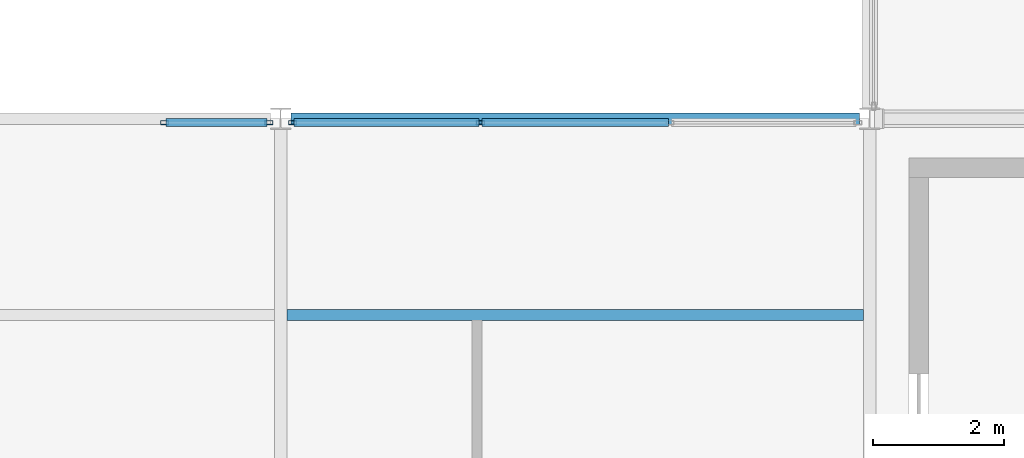
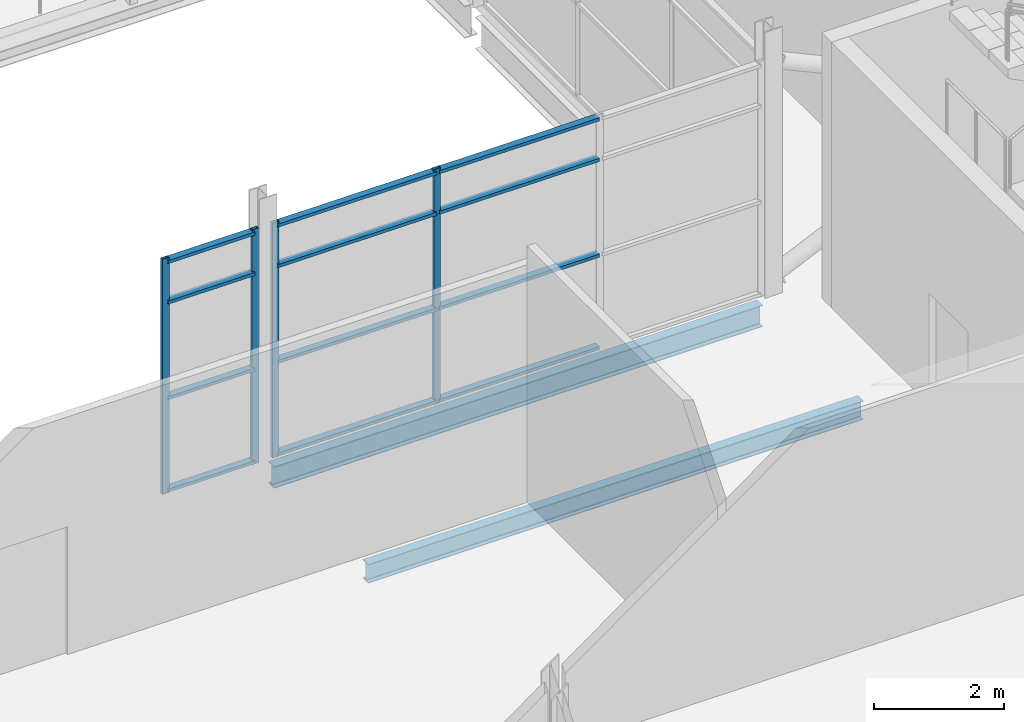
# One storey, part 33 of 115: 16 members, 2 beams, 2 elements without a shape of their own.
"""IFC4 building model written with IfcOpenShell, lengths in metres."""

from ifc_helpers import new_model, si_unit, direction, frame, origin, origin_2d, place, context, subcontext, project, spatial, hollow_rectangle, i_section, extrude, material, layer, layer_set, material_profile, profile_set, type_object, element, aggregate, save


model = new_model("IFC4")

# Units and contexts
model_context = context("Model", 3, precision=1e-05, world=origin(), true_north=direction((0.0, 1.0)))
body_context = subcontext(model_context, "Body", "Model", "MODEL_VIEW")
ifc_project = project(units=[si_unit("LENGTHUNIT", "METRE"), si_unit("AREAUNIT", "SQUARE_METRE"), si_unit("VOLUMEUNIT", "CUBIC_METRE"), si_unit("PLANEANGLEUNIT", "RADIAN"), si_unit("MASSUNIT", "GRAM", prefix="KILO")], contexts=[model_context])

# Site, building, storey
site_placement = place(None, origin())
site = spatial("IfcSite", under=ifc_project, at=site_placement, CompositionType="ELEMENT")
building_placement = place(site_placement, origin())
building = spatial("IfcBuilding", under=site, at=building_placement, Name="Shorebreak Coast Museum", CompositionType="ELEMENT")
storey_placement = place(building_placement, frame((0.0, 0.0, 11.0)))
storey = spatial("IfcBuildingStorey", under=building, at=storey_placement, Name="L02", CompositionType="ELEMENT", Elevation=11.0)

# Beams
ifc_material_1 = material(Name="Steel Grade 300", Category="steel")
ifc_material_profile_1 = material_profile(ifc_material_1, i_section(OverallWidth=0.177978515625, OverallDepth=0.402587890625, WebThickness=0.007568359375, FlangeThickness=0.010986328125, FilletRadius=0.011474609375, at=origin_2d()), Name="410UB53.7")
ifc_profile_set_1 = profile_set([ifc_material_profile_1], Name="Steel Grade 300")
beam_type_1 = type_object("IfcBeamType", Name="Floor girder east-west 410UB53.7", PredefinedType="BEAM", material=ifc_profile_set_1)
beam_1_placement = place(storey_placement, frame((99.155517578125, 63.0, -0.376220703125), z_axis=(1.0, 0.0, 0.0), x_axis=(0.0, 1.0, 0.0)))
element("IfcBeam", 1, at=beam_1_placement, inside=storey, type_object=beam_type_1, Name="Floor girder east-west L02 12H", PredefinedType="BEAM", context=body_context, shape_type="SweptSolid", body=[
    extrude(i_section(OverallWidth=0.177978515625, OverallDepth=0.402587890625, WebThickness=0.007568359375, FlangeThickness=0.010986328125, FilletRadius=0.011474609375, at=origin_2d()), origin(), (0.0, 0.0, 1.0), 8.68896484375),
])
ifc_material_2 = material(Name="Steel Grade 300", Category="steel")
ifc_material_profile_2 = material_profile(ifc_material_2, i_section(OverallWidth=0.1708984375, OverallDepth=0.35205078125, WebThickness=0.0068359375, FlangeThickness=0.009765625, FilletRadius=0.011474609375, at=origin_2d()), Name="360UB44.7")
ifc_profile_set_2 = profile_set([ifc_material_profile_2], Name="Steel Grade 300")
beam_type_2 = type_object("IfcBeamType", Name="Floor joist 360UB44.7", PredefinedType="JOIST", material=ifc_profile_set_2)
beam_2_placement = place(storey_placement, frame((99.095458984375, 60.0, -0.35107421875), z_axis=(1.0, 0.0, 0.0), x_axis=(0.0, 1.0, 0.0)))
element("IfcBeam", 2, at=beam_2_placement, inside=storey, type_object=beam_type_2, Name="Floor joist L02 bay 12G at 6000 mm", PredefinedType="JOIST", context=body_context, shape_type="SweptSolid", body=[
    extrude(i_section(OverallWidth=0.1708984375, OverallDepth=0.35205078125, WebThickness=0.0068359375, FlangeThickness=0.009765625, FilletRadius=0.011474609375, at=origin_2d()), origin(), (0.0, 0.0, 1.0), 8.80908203125),
])

# Curtain wall, members
ifc_material_3 = material(Name="Aluminium", Category="aluminium")
ifc_layer = layer(ifc_material_3, 0.1201171875)
ifc_layer_set = layer_set([ifc_layer], Name="Aluminium")
curtain_wall_type = type_object("IfcCurtainWallType", Name="Atrium fire screen", PredefinedType="NOTDEFINED", material=ifc_layer_set)
curtain_wall_1_placement = place(storey_placement, origin())
curtain_wall_1 = element("IfcCurtainWall", 3, at=curtain_wall_1_placement, inside=storey, type_object=curtain_wall_type, Name="Atrium screen L02 S 20", PredefinedType="NOTDEFINED")
ifc_material_4 = material(Name="Aluminium", Category="aluminium")
ifc_material_profile_3 = material_profile(ifc_material_4, hollow_rectangle(XDim=0.06005859375, YDim=0.1201171875, WallThickness=0.00341796875, at=origin_2d()), Name="AL 120x60 RHS")
ifc_profile_set_3 = profile_set([ifc_material_profile_3], Name="Aluminium")
member_type_1 = type_object("IfcMemberType", Name="Screen mullion 50 x 120", PredefinedType="MULLION", material=ifc_profile_set_3)
member_1_placement = place(storey_placement, frame((97.22509765625, 62.93994140625, 0.0), z_axis=(0.0, 0.0, 1.0), x_axis=(0.0, 1.0, 0.0)))
member_1 = element("IfcMember", 4, at=member_1_placement, type_object=member_type_1, Name="CW6 mullion 1", PredefinedType="MULLION", context=body_context, shape_type="SweptSolid", body=[
    extrude(hollow_rectangle(XDim=0.06005859375, YDim=0.1201171875, WallThickness=0.00341796875, at=origin_2d()), origin(), (0.0, 0.0, 1.0), 4.42236328125),
])
member_2_placement = place(storey_placement, frame((98.819580078125, 62.93994140625, 0.0), z_axis=(0.0, 0.0, 1.0), x_axis=(0.0, 1.0, 0.0)))
member_2 = element("IfcMember", 5, at=member_2_placement, type_object=member_type_1, Name="CW6 mullion 2", PredefinedType="MULLION", context=body_context, shape_type="SweptSolid", body=[
    extrude(hollow_rectangle(XDim=0.06005859375, YDim=0.1201171875, WallThickness=0.00341796875, at=origin_2d()), origin(), (0.0, 0.0, 1.0), 4.42236328125),
])

curtain_wall_2_placement = place(storey_placement, origin())
curtain_wall_2 = element("IfcCurtainWall", 6, at=curtain_wall_2_placement, inside=storey, type_object=curtain_wall_type, Name="Atrium screen L02 S 21", PredefinedType="NOTDEFINED")
member_3_placement = place(storey_placement, frame((99.180419921875, 62.93994140625, 0.0), z_axis=(0.0, 0.0, 1.0), x_axis=(0.0, 1.0, 0.0)))
member_3 = element("IfcMember", 7, at=member_3_placement, type_object=member_type_1, Name="CW4 mullion 1", PredefinedType="MULLION", context=body_context, shape_type="SweptSolid", body=[
    extrude(hollow_rectangle(XDim=0.06005859375, YDim=0.1201171875, WallThickness=0.00341796875, at=origin_2d()), origin(), (0.0, 0.0, 1.0), 4.42236328125),
])
member_4_placement = place(storey_placement, frame((102.0517578125, 62.93994140625, 0.0), z_axis=(0.0, 0.0, 1.0), x_axis=(0.0, 1.0, 0.0)))
member_4 = element("IfcMember", 8, at=member_4_placement, type_object=member_type_1, Name="CW4 mullion 2", PredefinedType="MULLION", context=body_context, shape_type="SweptSolid", body=[
    extrude(hollow_rectangle(XDim=0.06005859375, YDim=0.1201171875, WallThickness=0.00341796875, at=origin_2d()), origin(), (0.0, 0.0, 1.0), 4.42236328125),
])

# Member
ifc_material_5 = material(Name="Aluminium", Category="aluminium")
ifc_material_profile_4 = material_profile(ifc_material_5, hollow_rectangle(XDim=0.1201171875, YDim=0.06005859375, WallThickness=0.00341796875, at=origin_2d()), Name="AL 60x120 RHS")
ifc_profile_set_4 = profile_set([ifc_material_profile_4], Name="Aluminium")
member_type_2 = type_object("IfcMemberType", Name="Screen transom 120 x 50", PredefinedType="USERDEFINED", material=ifc_profile_set_4)
member_5_placement = place(storey_placement, frame((97.25, 62.93994140625, 0.06005859375), z_axis=(1.0, 0.0, 0.0), x_axis=(0.0, 1.0, 0.0)))
member_5 = element("IfcMember", 9, at=member_5_placement, type_object=member_type_2, Name="CW6 transom 1.1", ObjectType="TRANSOM", PredefinedType="USERDEFINED", context=body_context, shape_type="SweptSolid", body=[
    extrude(hollow_rectangle(XDim=0.1201171875, YDim=0.06005859375, WallThickness=0.00341796875, at=origin_2d()), origin(), (0.0, 0.0, 1.0), 1.54443359375),
])

member_6_placement = place(storey_placement, frame((97.25, 62.93994140625, 1.800048828125), z_axis=(1.0, 0.0, 0.0), x_axis=(0.0, 1.0, 0.0)))
member_6 = element("IfcMember", 10, at=member_6_placement, type_object=member_type_2, Name="CW6 transom 1.2", ObjectType="TRANSOM", PredefinedType="USERDEFINED", context=body_context, shape_type="SweptSolid", body=[
    extrude(hollow_rectangle(XDim=0.1201171875, YDim=0.06005859375, WallThickness=0.00341796875, at=origin_2d()), origin(), (0.0, 0.0, 1.0), 1.54443359375),
])

member_7_placement = place(storey_placement, frame((97.25, 62.93994140625, 3.60009765625), z_axis=(1.0, 0.0, 0.0), x_axis=(0.0, 1.0, 0.0)))
member_7 = element("IfcMember", 11, at=member_7_placement, type_object=member_type_2, Name="CW6 transom 1.3", ObjectType="TRANSOM", PredefinedType="USERDEFINED", context=body_context, shape_type="SweptSolid", body=[
    extrude(hollow_rectangle(XDim=0.1201171875, YDim=0.06005859375, WallThickness=0.00341796875, at=origin_2d()), origin(), (0.0, 0.0, 1.0), 1.54443359375),
])

member_8_placement = place(storey_placement, frame((97.25, 62.93994140625, 4.3623046875), z_axis=(1.0, 0.0, 0.0), x_axis=(0.0, 1.0, 0.0)))
member_8 = element("IfcMember", 12, at=member_8_placement, type_object=member_type_2, Name="CW6 transom 1.4", ObjectType="TRANSOM", PredefinedType="USERDEFINED", context=body_context, shape_type="SweptSolid", body=[
    extrude(hollow_rectangle(XDim=0.1201171875, YDim=0.06005859375, WallThickness=0.00341796875, at=origin_2d()), origin(), (0.0, 0.0, 1.0), 1.54443359375),
])

aggregate(curtain_wall_1, [member_1, member_2, member_5, member_6, member_7, member_8])

member_9_placement = place(storey_placement, frame((99.20556640625, 62.93994140625, 0.06005859375), z_axis=(1.0, 0.0, 0.0), x_axis=(0.0, 1.0, 0.0)))
member_9 = element("IfcMember", 13, at=member_9_placement, type_object=member_type_2, Name="CW4 transom 1.1", ObjectType="TRANSOM", PredefinedType="USERDEFINED", context=body_context, shape_type="SweptSolid", body=[
    extrude(hollow_rectangle(XDim=0.1201171875, YDim=0.06005859375, WallThickness=0.00341796875, at=origin_2d()), origin(), (0.0, 0.0, 1.0), 2.8212890625),
])

member_10_placement = place(storey_placement, frame((99.20556640625, 62.93994140625, 1.800048828125), z_axis=(1.0, 0.0, 0.0), x_axis=(0.0, 1.0, 0.0)))
member_10 = element("IfcMember", 14, at=member_10_placement, type_object=member_type_2, Name="CW4 transom 1.2", ObjectType="TRANSOM", PredefinedType="USERDEFINED", context=body_context, shape_type="SweptSolid", body=[
    extrude(hollow_rectangle(XDim=0.1201171875, YDim=0.06005859375, WallThickness=0.00341796875, at=origin_2d()), origin(), (0.0, 0.0, 1.0), 2.8212890625),
])

member_11_placement = place(storey_placement, frame((99.20556640625, 62.93994140625, 3.60009765625), z_axis=(1.0, 0.0, 0.0), x_axis=(0.0, 1.0, 0.0)))
member_11 = element("IfcMember", 15, at=member_11_placement, type_object=member_type_2, Name="CW4 transom 1.3", ObjectType="TRANSOM", PredefinedType="USERDEFINED", context=body_context, shape_type="SweptSolid", body=[
    extrude(hollow_rectangle(XDim=0.1201171875, YDim=0.06005859375, WallThickness=0.00341796875, at=origin_2d()), origin(), (0.0, 0.0, 1.0), 2.8212890625),
])

member_12_placement = place(storey_placement, frame((99.20556640625, 62.93994140625, 4.3623046875), z_axis=(1.0, 0.0, 0.0), x_axis=(0.0, 1.0, 0.0)))
member_12 = element("IfcMember", 16, at=member_12_placement, type_object=member_type_2, Name="CW4 transom 1.4", ObjectType="TRANSOM", PredefinedType="USERDEFINED", context=body_context, shape_type="SweptSolid", body=[
    extrude(hollow_rectangle(XDim=0.1201171875, YDim=0.06005859375, WallThickness=0.00341796875, at=origin_2d()), origin(), (0.0, 0.0, 1.0), 2.8212890625),
])

member_13_placement = place(storey_placement, frame((102.076904296875, 62.93994140625, 0.06005859375), z_axis=(1.0, 0.0, 0.0), x_axis=(0.0, 1.0, 0.0)))
member_13 = element("IfcMember", 17, at=member_13_placement, type_object=member_type_2, Name="CW4 transom 2.1", ObjectType="TRANSOM", PredefinedType="USERDEFINED", context=body_context, shape_type="SweptSolid", body=[
    extrude(hollow_rectangle(XDim=0.1201171875, YDim=0.06005859375, WallThickness=0.00341796875, at=origin_2d()), origin(), (0.0, 0.0, 1.0), 2.84619140625),
])

member_14_placement = place(storey_placement, frame((102.076904296875, 62.93994140625, 1.800048828125), z_axis=(1.0, 0.0, 0.0), x_axis=(0.0, 1.0, 0.0)))
member_14 = element("IfcMember", 18, at=member_14_placement, type_object=member_type_2, Name="CW4 transom 2.2", ObjectType="TRANSOM", PredefinedType="USERDEFINED", context=body_context, shape_type="SweptSolid", body=[
    extrude(hollow_rectangle(XDim=0.1201171875, YDim=0.06005859375, WallThickness=0.00341796875, at=origin_2d()), origin(), (0.0, 0.0, 1.0), 2.84619140625),
])

member_15_placement = place(storey_placement, frame((102.076904296875, 62.93994140625, 3.60009765625), z_axis=(1.0, 0.0, 0.0), x_axis=(0.0, 1.0, 0.0)))
member_15 = element("IfcMember", 19, at=member_15_placement, type_object=member_type_2, Name="CW4 transom 2.3", ObjectType="TRANSOM", PredefinedType="USERDEFINED", context=body_context, shape_type="SweptSolid", body=[
    extrude(hollow_rectangle(XDim=0.1201171875, YDim=0.06005859375, WallThickness=0.00341796875, at=origin_2d()), origin(), (0.0, 0.0, 1.0), 2.84619140625),
])

member_16_placement = place(storey_placement, frame((102.076904296875, 62.93994140625, 4.3623046875), z_axis=(1.0, 0.0, 0.0), x_axis=(0.0, 1.0, 0.0)))
member_16 = element("IfcMember", 20, at=member_16_placement, type_object=member_type_2, Name="CW4 transom 2.4", ObjectType="TRANSOM", PredefinedType="USERDEFINED", context=body_context, shape_type="SweptSolid", body=[
    extrude(hollow_rectangle(XDim=0.1201171875, YDim=0.06005859375, WallThickness=0.00341796875, at=origin_2d()), origin(), (0.0, 0.0, 1.0), 2.84619140625),
])

aggregate(curtain_wall_2, [member_3, member_4, member_9, member_10, member_11, member_12, member_13, member_14, member_15, member_16])

save(model, "model.ifc")
